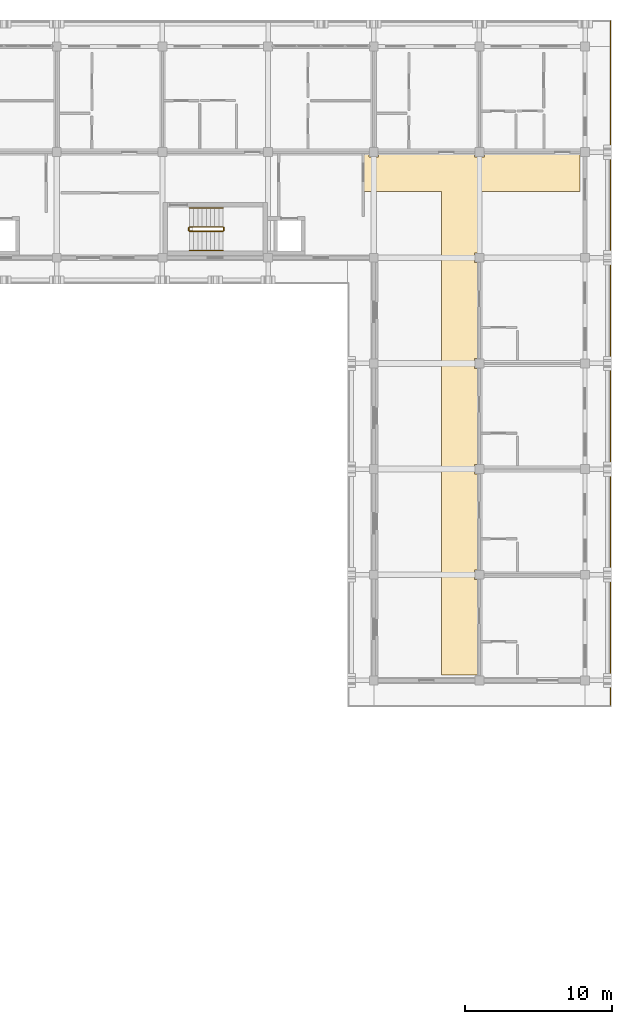
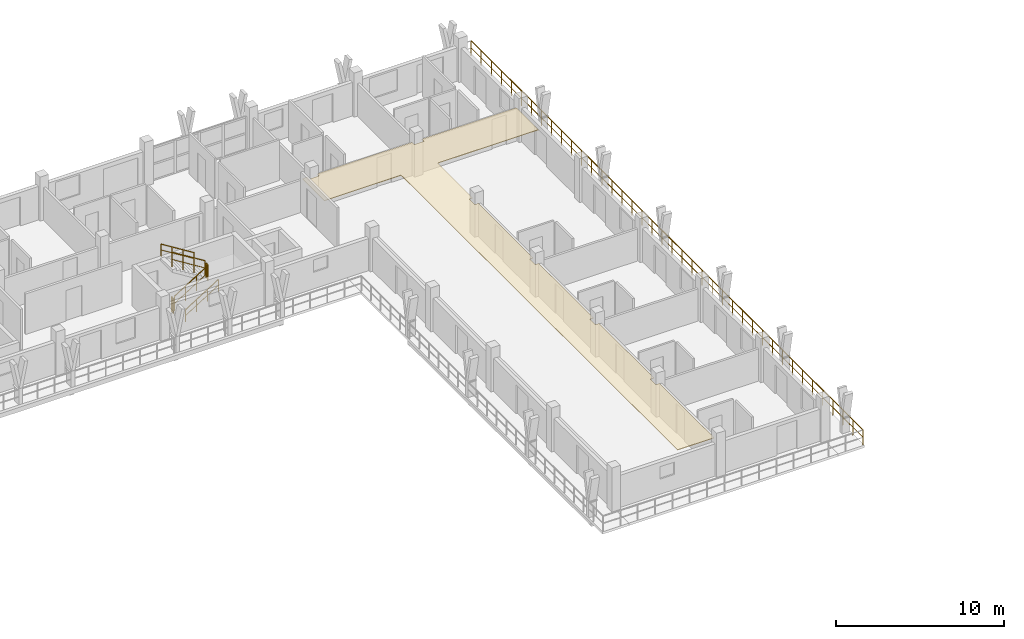
# One storey, part 78 of 78: 7 railings, 1 covering.
"""IFC4 building model written with IfcOpenShell, lengths in metres."""

from ifc_helpers import new_model, si_unit, direction, frame, origin, origin_2d, place, context, subcontext, project, spatial, polyline, rectangle, outline, extrude, material, layer, layer_set, type_object, element, save


model = new_model("IFC4")

# Units and contexts
model_context = context("Model", 3, precision=1e-05, world=origin(), true_north=direction((0.0, 1.0)))
body_context = subcontext(model_context, "Body", "Model", "MODEL_VIEW")
ifc_project = project(units=[si_unit("LENGTHUNIT", "METRE"), si_unit("AREAUNIT", "SQUARE_METRE"), si_unit("VOLUMEUNIT", "CUBIC_METRE"), si_unit("PLANEANGLEUNIT", "RADIAN"), si_unit("MASSUNIT", "GRAM", prefix="KILO")], contexts=[model_context])

# Site, building, storey
site_placement = place(None, origin())
site = spatial("IfcSite", under=ifc_project, at=site_placement, CompositionType="ELEMENT")
building_placement = place(site_placement, origin())
building = spatial("IfcBuilding", under=site, at=building_placement, Name="Suanplinth Sawtooth Commons", CompositionType="ELEMENT")
storey_placement = place(building_placement, frame((0.0, 0.0, 15.39990234375)))
storey = spatial("IfcBuildingStorey", under=building, at=storey_placement, Name="L04", CompositionType="ELEMENT", Elevation=15.39990234375)

# Covering
ifc_material_1 = material(Name="Mineral fibre acoustic tile")
ifc_layer = layer(ifc_material_1, 0.0400390625, Name="Perforated mineral-fibre acoustic suspended ceiling")
ifc_layer_set = layer_set([ifc_layer], Name="Mineral fibre acoustic tile")
covering_type = type_object("IfcCoveringType", Name="CV-CE01", PredefinedType="CEILING", material=ifc_layer_set)
covering_placement = place(storey_placement, frame((0.0, 0.0, 2.380126953125)))
element("IfcCovering", 1, at=covering_placement, inside=storey, type_object=covering_type, Name="L04 Block B Corridor Acoustic Ceiling", PredefinedType="CEILING", context=body_context, shape_type="SweptSolid", body=[
    extrude(outline(polyline([(172.469970703125, 115.1201171875), (172.469970703125, 114.8701171875), (173.1298828125, 114.8701171875), (173.1298828125, 115.1201171875), (179.669921875, 115.1201171875), (179.669921875, 114.8701171875), (180.330078125, 114.8701171875), (180.330078125, 115.1201171875), (186.840087890625, 115.1201171875), (186.840087890625, 112.5), (179.919921875, 112.5), (179.919921875, 108.330078125), (179.669921875, 108.330078125), (179.669921875, 107.669921875), (179.919921875, 107.669921875), (179.919921875, 101.1298828125), (179.669921875, 101.1298828125), (179.669921875, 100.469970703125), (179.919921875, 100.469970703125), (179.919921875, 93.929931640625), (179.669921875, 93.929931640625), (179.669921875, 93.27001953125), (179.919921875, 93.27001953125), (179.919921875, 86.72998046875), (179.669921875, 86.72998046875), (179.669921875, 86.070068359375), (179.919921875, 86.070068359375), (179.919921875, 79.56005859375), (177.39990234375, 79.56005859375), (177.39990234375, 112.5), (172.1201171875, 112.5), (172.1201171875, 115.1201171875), (172.469970703125, 115.1201171875)])), origin(), (0.0, 0.0, 1.0), 0.0400390625),
])

# Railings
ifc_material_2 = material(Name="Powder-coated galvanized steel", Category="steel")
railing_type_1 = type_object("IfcRailingType", Name="GR-01", PredefinedType="BALUSTRADE", material=ifc_material_2)
railing_1_placement = place(storey_placement, frame((188.93994140625, 124.139892578125, 0.0)))
element("IfcRailing", 2, at=railing_1_placement, inside=storey, type_object=railing_type_1, Name="L04 Block B Perimeter Balustrade 5", PredefinedType="BALUSTRADE", context=body_context, shape_type="SweptSolid", body=[
    extrude(rectangle(XDim=0.048095703125, YDim=0.048095703125, at=origin_2d()), frame((0.0, 0.0, 1.09619140625), z_axis=(0.0, -1.0, 0.0), x_axis=(1.0, 0.0, 0.0)), (0.0, 0.0, 1.0), 46.679931640625),
    extrude(rectangle(XDim=0.03369140625, YDim=0.03369140625, at=origin_2d()), frame((0.0, 0.0, 0.56005859375), z_axis=(0.0, -1.0, 0.0), x_axis=(1.0, 0.0, 0.0)), (0.0, 0.0, 1.0), 46.679931640625),
    extrude(rectangle(XDim=0.0419921875, YDim=0.0419921875, at=origin_2d()), origin(), (0.0, 0.0, 1.0), 1.072021484375),
    extrude(rectangle(XDim=0.0419921875, YDim=0.0419921875, at=origin_2d()), frame((0.0, -1.197021484375, 0.0)), (0.0, 0.0, 1.0), 1.072021484375),
    extrude(rectangle(XDim=0.0419921875, YDim=0.0419921875, at=origin_2d()), frame((0.0, -2.393798828125, 0.0)), (0.0, 0.0, 1.0), 1.072021484375),
    extrude(rectangle(XDim=0.0419921875, YDim=0.0419921875, at=origin_2d()), frame((0.0, -3.5908203125, 0.0)), (0.0, 0.0, 1.0), 1.072021484375),
    extrude(rectangle(XDim=0.0419921875, YDim=0.0419921875, at=origin_2d()), frame((0.0, -4.78759765625, 0.0)), (0.0, 0.0, 1.0), 1.072021484375),
    extrude(rectangle(XDim=0.0419921875, YDim=0.0419921875, at=origin_2d()), frame((0.0, -5.984619140625, 0.0)), (0.0, 0.0, 1.0), 1.072021484375),
    extrude(rectangle(XDim=0.0419921875, YDim=0.0419921875, at=origin_2d()), frame((0.0, -7.181640625, 0.0)), (0.0, 0.0, 1.0), 1.072021484375),
    extrude(rectangle(XDim=0.0419921875, YDim=0.0419921875, at=origin_2d()), frame((0.0, -8.37841796875, 0.0)), (0.0, 0.0, 1.0), 1.072021484375),
    extrude(rectangle(XDim=0.0419921875, YDim=0.0419921875, at=origin_2d()), frame((0.0, -9.575439453125, 0.0)), (0.0, 0.0, 1.0), 1.072021484375),
    extrude(rectangle(XDim=0.0419921875, YDim=0.0419921875, at=origin_2d()), frame((0.0, -10.772216796875, 0.0)), (0.0, 0.0, 1.0), 1.072021484375),
    extrude(rectangle(XDim=0.0419921875, YDim=0.0419921875, at=origin_2d()), frame((0.0, -11.96923828125, 0.0)), (0.0, 0.0, 1.0), 1.072021484375),
    extrude(rectangle(XDim=0.0419921875, YDim=0.0419921875, at=origin_2d()), frame((0.0, -13.166015625, 0.0)), (0.0, 0.0, 1.0), 1.072021484375),
    extrude(rectangle(XDim=0.0419921875, YDim=0.0419921875, at=origin_2d()), frame((0.0, -14.363037109375, 0.0)), (0.0, 0.0, 1.0), 1.072021484375),
    extrude(rectangle(XDim=0.0419921875, YDim=0.0419921875, at=origin_2d()), frame((0.0, -15.56005859375, 0.0)), (0.0, 0.0, 1.0), 1.072021484375),
    extrude(rectangle(XDim=0.0419921875, YDim=0.0419921875, at=origin_2d()), frame((0.0, -16.7568359375, 0.0)), (0.0, 0.0, 1.0), 1.072021484375),
    extrude(rectangle(XDim=0.0419921875, YDim=0.0419921875, at=origin_2d()), frame((0.0, -17.953857421875, 0.0)), (0.0, 0.0, 1.0), 1.072021484375),
    extrude(rectangle(XDim=0.0419921875, YDim=0.0419921875, at=origin_2d()), frame((0.0, -19.150634765625, 0.0)), (0.0, 0.0, 1.0), 1.072021484375),
    extrude(rectangle(XDim=0.0419921875, YDim=0.0419921875, at=origin_2d()), frame((0.0, -20.34765625, 0.0)), (0.0, 0.0, 1.0), 1.072021484375),
    extrude(rectangle(XDim=0.0419921875, YDim=0.0419921875, at=origin_2d()), frame((0.0, -21.544677734375, 0.0)), (0.0, 0.0, 1.0), 1.072021484375),
    extrude(rectangle(XDim=0.0419921875, YDim=0.0419921875, at=origin_2d()), frame((0.0, -22.741455078125, 0.0)), (0.0, 0.0, 1.0), 1.072021484375),
    extrude(rectangle(XDim=0.0419921875, YDim=0.0419921875, at=origin_2d()), frame((0.0, -23.9384765625, 0.0)), (0.0, 0.0, 1.0), 1.072021484375),
    extrude(rectangle(XDim=0.0419921875, YDim=0.0419921875, at=origin_2d()), frame((0.0, -25.13525390625, 0.0)), (0.0, 0.0, 1.0), 1.072021484375),
    extrude(rectangle(XDim=0.0419921875, YDim=0.0419921875, at=origin_2d()), frame((0.0, -26.332275390625, 0.0)), (0.0, 0.0, 1.0), 1.072021484375),
    extrude(rectangle(XDim=0.0419921875, YDim=0.0419921875, at=origin_2d()), frame((0.0, -27.529296875, 0.0)), (0.0, 0.0, 1.0), 1.072021484375),
    extrude(rectangle(XDim=0.0419921875, YDim=0.0419921875, at=origin_2d()), frame((0.0, -28.72607421875, 0.0)), (0.0, 0.0, 1.0), 1.072021484375),
    extrude(rectangle(XDim=0.0419921875, YDim=0.0419921875, at=origin_2d()), frame((0.0, -29.923095703125, 0.0)), (0.0, 0.0, 1.0), 1.072021484375),
    extrude(rectangle(XDim=0.0419921875, YDim=0.0419921875, at=origin_2d()), frame((0.0, -31.119873046875, 0.0)), (0.0, 0.0, 1.0), 1.072021484375),
    extrude(rectangle(XDim=0.0419921875, YDim=0.0419921875, at=origin_2d()), frame((0.0, -32.31689453125, 0.0)), (0.0, 0.0, 1.0), 1.072021484375),
    extrude(rectangle(XDim=0.0419921875, YDim=0.0419921875, at=origin_2d()), frame((0.0, -33.513916015625, 0.0)), (0.0, 0.0, 1.0), 1.072021484375),
    extrude(rectangle(XDim=0.0419921875, YDim=0.0419921875, at=origin_2d()), frame((0.0, -34.710693359375, 0.0)), (0.0, 0.0, 1.0), 1.072021484375),
    extrude(rectangle(XDim=0.0419921875, YDim=0.0419921875, at=origin_2d()), frame((0.0, -35.90771484375, 0.0)), (0.0, 0.0, 1.0), 1.072021484375),
    extrude(rectangle(XDim=0.0419921875, YDim=0.0419921875, at=origin_2d()), frame((0.0, -37.1044921875, 0.0)), (0.0, 0.0, 1.0), 1.072021484375),
    extrude(rectangle(XDim=0.0419921875, YDim=0.0419921875, at=origin_2d()), frame((0.0, -38.301513671875, 0.0)), (0.0, 0.0, 1.0), 1.072021484375),
    extrude(rectangle(XDim=0.0419921875, YDim=0.0419921875, at=origin_2d()), frame((0.0, -39.498291015625, 0.0)), (0.0, 0.0, 1.0), 1.072021484375),
    extrude(rectangle(XDim=0.0419921875, YDim=0.0419921875, at=origin_2d()), frame((0.0, -40.6953125, 0.0)), (0.0, 0.0, 1.0), 1.072021484375),
    extrude(rectangle(XDim=0.0419921875, YDim=0.0419921875, at=origin_2d()), frame((0.0, -41.892333984375, 0.0)), (0.0, 0.0, 1.0), 1.072021484375),
    extrude(rectangle(XDim=0.0419921875, YDim=0.0419921875, at=origin_2d()), frame((0.0, -43.089111328125, 0.0)), (0.0, 0.0, 1.0), 1.072021484375),
    extrude(rectangle(XDim=0.0419921875, YDim=0.0419921875, at=origin_2d()), frame((0.0, -44.2861328125, 0.0)), (0.0, 0.0, 1.0), 1.072021484375),
    extrude(rectangle(XDim=0.0419921875, YDim=0.0419921875, at=origin_2d()), frame((0.0, -45.48291015625, 0.0)), (0.0, 0.0, 1.0), 1.072021484375),
    extrude(rectangle(XDim=0.0419921875, YDim=0.0419921875, at=origin_2d()), frame((0.0, -46.679931640625, 0.0)), (0.0, 0.0, 1.0), 1.072021484375),
])
ifc_material_3 = material(Name="Stainless steel Grade 304", Category="steel")
railing_type_2 = type_object("IfcRailingType", Name="GR-04", PredefinedType="GUARDRAIL", material=ifc_material_3)
railing_2_placement = place(storey_placement, frame((160.25, 109.800048828125, 0.177978515625)))
element("IfcRailing", 3, at=railing_2_placement, inside=storey, type_object=railing_type_2, Name="L04 ST-E2 Guard 1", PredefinedType="GUARDRAIL", context=body_context, shape_type="SweptSolid", body=[
    extrude(rectangle(XDim=0.048095703125, YDim=0.048095703125, at=origin_2d()), frame((0.0, 0.0, 1.076171875), z_axis=(0.848482842525, 0.0, 0.529222888715), x_axis=(0.0, 1.0, 0.0)), (0.0, 0.0, 1.0), 2.687255859375),
    extrude(rectangle(XDim=0.03369140625, YDim=0.03369140625, at=origin_2d()), frame((0.0, 0.0, 0.550048828125), z_axis=(0.848482842525, 0.0, 0.529222888715), x_axis=(0.0, 1.0, 0.0)), (0.0, 0.0, 1.0), 2.687255859375),
    extrude(rectangle(XDim=0.0419921875, YDim=0.0419921875, at=origin_2d()), origin(), (0.0, 0.0, 1.0), 1.052001953125),
    extrude(rectangle(XDim=0.0419921875, YDim=0.0419921875, at=origin_2d()), frame((0.760009765625, 0.0, 0.47412109375)), (0.0, 0.0, 1.0), 1.052001953125),
    extrude(rectangle(XDim=0.0419921875, YDim=0.0419921875, at=origin_2d()), frame((1.52001953125, 0.0, 0.947998046875)), (0.0, 0.0, 1.0), 1.052001953125),
    extrude(rectangle(XDim=0.0419921875, YDim=0.0419921875, at=origin_2d()), frame((2.280029296875, 0.0, 1.422119140625)), (0.0, 0.0, 1.0), 1.052001953125),
])
railing_3_placement = place(storey_placement, frame((162.580078125, 109.85009765625, 1.60009765625)))
element("IfcRailing", 4, at=railing_3_placement, inside=storey, type_object=railing_type_2, Name="L04 ST-E2 Guard 2", PredefinedType="GUARDRAIL", context=body_context, shape_type="SweptSolid", body=[
    extrude(rectangle(XDim=0.048095703125, YDim=0.048095703125, at=origin_2d()), frame((0.0, 0.0, 1.076171875), z_axis=(0.0, 1.0, 0.0), x_axis=(-1.0, 0.0, 0.0)), (0.0, 0.0, 1.0), 0.199951171875),
    extrude(rectangle(XDim=0.03369140625, YDim=0.03369140625, at=origin_2d()), frame((0.0, 0.0, 0.550048828125), z_axis=(0.0, 1.0, 0.0), x_axis=(-1.0, 0.0, 0.0)), (0.0, 0.0, 1.0), 0.199951171875),
    extrude(rectangle(XDim=0.0419921875, YDim=0.0419921875, at=origin_2d()), origin(), (0.0, 0.0, 1.0), 1.052001953125),
    extrude(rectangle(XDim=0.0419921875, YDim=0.0419921875, at=origin_2d()), frame((0.0, 0.199951171875, 0.0)), (0.0, 0.0, 1.0), 1.052001953125),
])
railing_4_placement = place(storey_placement, frame((162.530029296875, 110.10009765625, 1.77783203125)))
element("IfcRailing", 5, at=railing_4_placement, inside=storey, type_object=railing_type_2, Name="L04 ST-E2 Guard 3", PredefinedType="GUARDRAIL", context=body_context, shape_type="SweptSolid", body=[
    extrude(rectangle(XDim=0.048095703125, YDim=0.048095703125, at=origin_2d()), frame((0.0, 0.0, 1.076171875), z_axis=(-0.848442045328, 0.0, 0.529288291689), x_axis=(0.0, -1.0, 0.0)), (0.0, 0.0, 1.0), 2.687255859375),
    extrude(rectangle(XDim=0.03369140625, YDim=0.03369140625, at=origin_2d()), frame((0.0, 0.0, 0.550048828125), z_axis=(-0.848442045328, 0.0, 0.529288291689), x_axis=(0.0, -1.0, 0.0)), (0.0, 0.0, 1.0), 2.687255859375),
    extrude(rectangle(XDim=0.0419921875, YDim=0.0419921875, at=origin_2d()), origin(), (0.0, 0.0, 1.0), 1.052001953125),
    extrude(rectangle(XDim=0.0419921875, YDim=0.0419921875, at=origin_2d()), frame((-0.760009765625, 0.0, 0.47412109375)), (0.0, 0.0, 1.0), 1.052001953125),
    extrude(rectangle(XDim=0.0419921875, YDim=0.0419921875, at=origin_2d()), frame((-1.52001953125, 0.0, 0.9482421875)), (0.0, 0.0, 1.0), 1.052001953125),
    extrude(rectangle(XDim=0.0419921875, YDim=0.0419921875, at=origin_2d()), frame((-2.280029296875, 0.0, 1.42236328125)), (0.0, 0.0, 1.0), 1.052001953125),
])
railing_5_placement = place(storey_placement, frame((160.199951171875, 109.85009765625, 0.0)))
element("IfcRailing", 6, at=railing_5_placement, inside=storey, type_object=railing_type_2, Name="L04 ST-E2 Guard 4", PredefinedType="GUARDRAIL", context=body_context, shape_type="SweptSolid", body=[
    extrude(rectangle(XDim=0.048095703125, YDim=0.048095703125, at=origin_2d()), frame((0.0, 0.0, 1.076171875), z_axis=(0.0, 1.0, 0.0), x_axis=(-1.0, 0.0, 0.0)), (0.0, 0.0, 1.0), 0.199951171875),
    extrude(rectangle(XDim=0.03369140625, YDim=0.03369140625, at=origin_2d()), frame((0.0, 0.0, 0.550048828125), z_axis=(0.0, 1.0, 0.0), x_axis=(-1.0, 0.0, 0.0)), (0.0, 0.0, 1.0), 0.199951171875),
    extrude(rectangle(XDim=0.0419921875, YDim=0.0419921875, at=origin_2d()), origin(), (0.0, 0.0, 1.0), 1.052001953125),
    extrude(rectangle(XDim=0.0419921875, YDim=0.0419921875, at=origin_2d()), frame((0.0, 0.199951171875, 0.0)), (0.0, 0.0, 1.0), 1.052001953125),
])
railing_type_3 = type_object("IfcRailingType", Name="HR-01", PredefinedType="HANDRAIL", material=ifc_material_3)
railing_6_placement = place(storey_placement, frame((160.25, 108.5, 0.177978515625)))
element("IfcRailing", 7, at=railing_6_placement, inside=storey, type_object=railing_type_3, Name="L04 ST-E2 Handrail 1", PredefinedType="HANDRAIL", context=body_context, shape_type="SweptSolid", body=[
    extrude(rectangle(XDim=0.048095703125, YDim=0.048095703125, at=origin_2d()), frame((0.0, 0.0, 0.8759765625), z_axis=(0.848482842525, 0.0, 0.529222888715), x_axis=(0.0, 1.0, 0.0)), (0.0, 0.0, 1.0), 2.687255859375),
    extrude(rectangle(XDim=0.03369140625, YDim=0.03369140625, at=origin_2d()), frame((0.0, 0.0, 0.449951171875), z_axis=(0.848482842525, 0.0, 0.529222888715), x_axis=(0.0, 1.0, 0.0)), (0.0, 0.0, 1.0), 2.687255859375),
    extrude(rectangle(XDim=0.0419921875, YDim=0.0419921875, at=origin_2d()), origin(), (0.0, 0.0, 1.0), 0.851806640625),
    extrude(rectangle(XDim=0.0419921875, YDim=0.0419921875, at=origin_2d()), frame((0.760009765625, 0.0, 0.47412109375)), (0.0, 0.0, 1.0), 0.851806640625),
    extrude(rectangle(XDim=0.0419921875, YDim=0.0419921875, at=origin_2d()), frame((1.52001953125, 0.0, 0.947998046875)), (0.0, 0.0, 1.0), 0.851806640625),
    extrude(rectangle(XDim=0.0419921875, YDim=0.0419921875, at=origin_2d()), frame((2.280029296875, 0.0, 1.422119140625)), (0.0, 0.0, 1.0), 0.851806640625),
])
railing_7_placement = place(storey_placement, frame((162.530029296875, 111.39990234375, 1.77783203125)))
element("IfcRailing", 8, at=railing_7_placement, inside=storey, type_object=railing_type_3, Name="L04 ST-E2 Handrail 2", PredefinedType="HANDRAIL", context=body_context, shape_type="SweptSolid", body=[
    extrude(rectangle(XDim=0.048095703125, YDim=0.048095703125, at=origin_2d()), frame((0.0, 0.0, 0.8759765625), z_axis=(-0.848442045328, 0.0, 0.529288291689), x_axis=(0.0, -1.0, 0.0)), (0.0, 0.0, 1.0), 2.687255859375),
    extrude(rectangle(XDim=0.03369140625, YDim=0.03369140625, at=origin_2d()), frame((0.0, 0.0, 0.449951171875), z_axis=(-0.848442045328, 0.0, 0.529288291689), x_axis=(0.0, -1.0, 0.0)), (0.0, 0.0, 1.0), 2.687255859375),
    extrude(rectangle(XDim=0.0419921875, YDim=0.0419921875, at=origin_2d()), origin(), (0.0, 0.0, 1.0), 0.851806640625),
    extrude(rectangle(XDim=0.0419921875, YDim=0.0419921875, at=origin_2d()), frame((-0.760009765625, 0.0, 0.47412109375)), (0.0, 0.0, 1.0), 0.851806640625),
    extrude(rectangle(XDim=0.0419921875, YDim=0.0419921875, at=origin_2d()), frame((-1.52001953125, 0.0, 0.9482421875)), (0.0, 0.0, 1.0), 0.851806640625),
    extrude(rectangle(XDim=0.0419921875, YDim=0.0419921875, at=origin_2d()), frame((-2.280029296875, 0.0, 1.42236328125)), (0.0, 0.0, 1.0), 0.851806640625),
])

save(model, "model.ifc")
